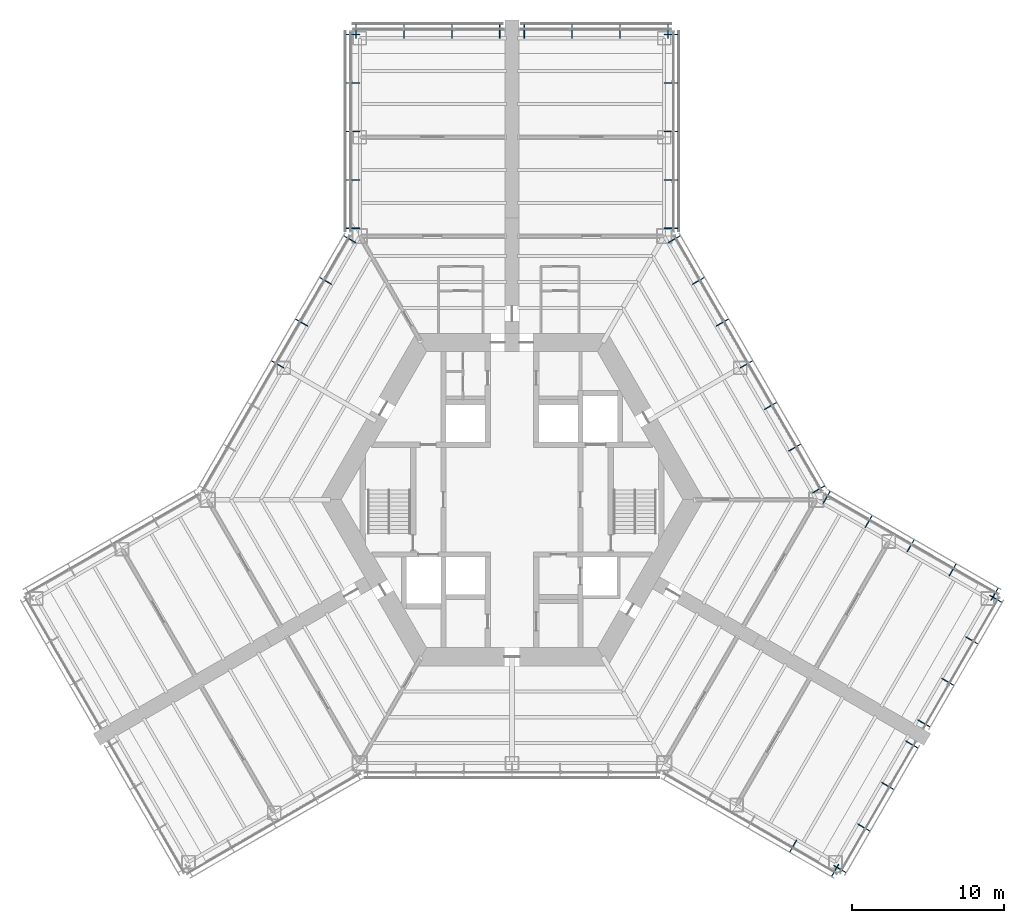
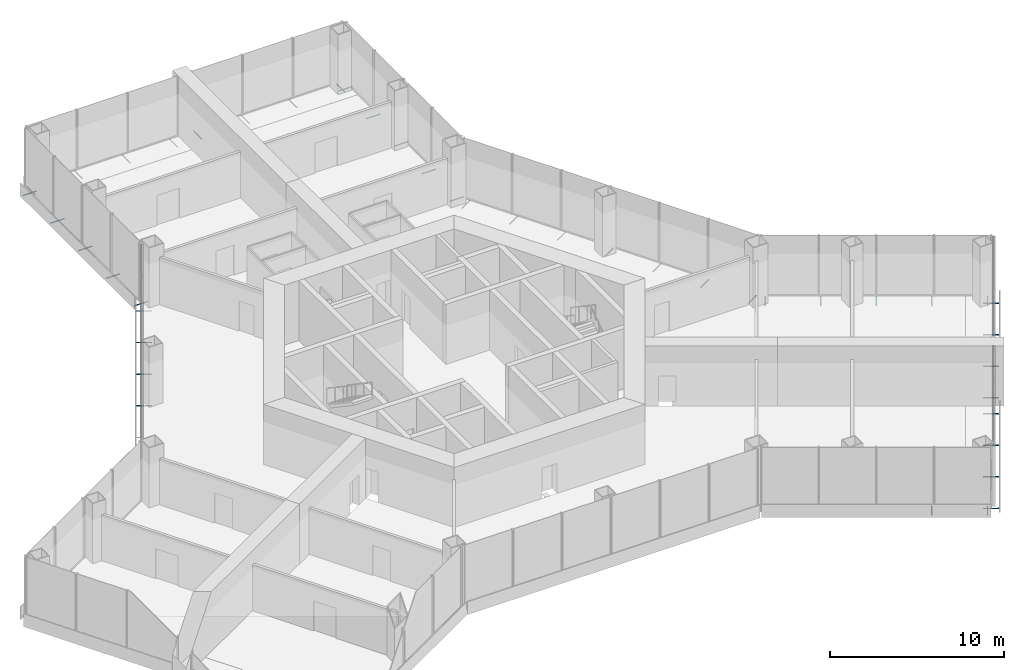
# One storey, part 14 of 15: 44 discrete accessories.
"""IFC4 building model written with IfcOpenShell, lengths in metres."""

import ifcopenshell
import ifcopenshell.guid

model = None  # the IFC model being written
_history = None  # IfcOwnerHistory: only IFC2X3 demands one
_inside = {}  # id of a spatial element -> (the spatial element, [elements in it])
_under = {}  # id of a project, library or spatial element -> (it, [spatial elements below it])
_declared = {}  # id of a project -> (the project, [libraries it declares])
_typed = {}  # id of a type object -> (the type object, [elements of that type])
_made_of = {}  # id of a material, layer set ... -> (it, [elements and type objects made of it])


def new_model(schema):
    """Start an empty IFC model of exactly this schema.

    Asked for "IFC4X3", IfcOpenShell would pick the latest addendum, in which some entities
    have other attributes; the version numbers below select the first issue.
    IFC2X3 requires an IfcOwnerHistory on every rooted entity: one is made here for all.
    """
    global model, _history
    if schema == "IFC4X3":
        model = ifcopenshell.file(schema_version=(4, 3, 0, 0))
    else:
        model = ifcopenshell.file(schema=schema)
    _inside.clear()
    _under.clear()
    _declared.clear()
    _typed.clear()
    _made_of.clear()
    _history = None
    if model.schema == "IFC2X3":
        org = make("IfcOrganization", Name="unknown")
        user = make(
            "IfcPersonAndOrganization",
            ThePerson=make("IfcPerson", FamilyName="unknown"),
            TheOrganization=org,
        )
        app = make(
            "IfcApplication",
            ApplicationDeveloper=org,
            Version="unknown",
            ApplicationFullName="unknown",
            ApplicationIdentifier="unknown",
        )
        _history = make(
            "IfcOwnerHistory",
            OwningUser=user,
            OwningApplication=app,
            ChangeAction="ADDED",
            CreationDate=0,
        )
    return model


def make(cls, **values):
    """One entity of the class cls with the attributes given. An attribute that is None is left unset."""
    return model.create_entity(
        cls, **{name: value for name, value in values.items() if value is not None}
    )


def rooted(cls, **values):
    """An entity with a GlobalId (a new one), such as an element, a storey or a relation."""
    return make(cls, GlobalId=ifcopenshell.guid.new(), OwnerHistory=_history, **values)


def si_unit(unit_type, name, prefix=None):
    """IfcSIUnit, for example si_unit("LENGTHUNIT", "METRE", prefix="MILLI")."""
    return make("IfcSIUnit", UnitType=unit_type, Prefix=prefix, Name=name)


def assignment(units):
    """IfcUnitAssignment: the units of a project."""
    return None if units is None else make("IfcUnitAssignment", Units=units)


def point(xyz):
    """IfcCartesianPoint."""
    return None if xyz is None else make("IfcCartesianPoint", Coordinates=xyz)


def direction(xyz):
    """IfcDirection."""
    return None if xyz is None else make("IfcDirection", DirectionRatios=xyz)


def frame(location, z_axis=None, x_axis=None):
    """IfcAxis2Placement3D, a coordinate frame: its origin and axes. An axis left out is left unset."""
    return make(
        "IfcAxis2Placement3D",
        Location=point(location),
        Axis=direction(z_axis),
        RefDirection=direction(x_axis),
    )


def frame_2d(location, x_axis=None):
    """IfcAxis2Placement2D, a coordinate frame in the plane: its origin and x axis."""
    return make(
        "IfcAxis2Placement2D", Location=point(location), RefDirection=direction(x_axis)
    )


def origin():
    """The frame at (0, 0, 0) with its axes left unset."""
    return frame((0.0, 0.0, 0.0))


def origin_2d():
    """The frame at (0, 0) in the plane with its x axis left unset."""
    return frame_2d((0.0, 0.0))


def place(relative_to, where):
    """IfcLocalPlacement: puts the frame where relative to a parent placement (None: the world)."""
    return make(
        "IfcLocalPlacement", PlacementRelTo=relative_to, RelativePlacement=where
    )


def context(
    kind, dimensions, precision=None, world=None, true_north=None, identifier=None
):
    """IfcGeometricRepresentationContext, for example the 3D "Model" context."""
    return make(
        "IfcGeometricRepresentationContext",
        ContextIdentifier=identifier,
        ContextType=kind,
        CoordinateSpaceDimension=dimensions,
        Precision=precision,
        WorldCoordinateSystem=world,
        TrueNorth=true_north,
    )


def subcontext(parent, identifier, kind, view, scale=None):
    """IfcGeometricRepresentationSubContext, for example "Body" below "Model"."""
    return make(
        "IfcGeometricRepresentationSubContext",
        ContextIdentifier=identifier,
        ContextType=kind,
        ParentContext=parent,
        TargetScale=scale,
        TargetView=view,
    )


def project(units=None, contexts=None):
    """IfcProject with its units and contexts."""
    return rooted(
        "IfcProject",
        Name="project",
        RepresentationContexts=contexts,
        UnitsInContext=assignment(units),
    )


def spatial(cls, under=None, at=None, **own):
    """A site, building, storey or space (cls), placed at a placement, below another one or the project."""
    s = rooted(cls, ObjectPlacement=at, **own)
    if under is not None:
        _under.setdefault(under.id(), (under, []))[1].append(s)
    return s


def profile(cls, at=None, kind="AREA", **sizes):
    """A parametric profile (cls). Its sizes go by their IFC names, for example OverallWidth=200.0."""
    return make(cls, ProfileType=kind, Position=at, **sizes)


def hollow_circle(**sizes):
    """IfcCircleHollowProfileDef."""
    return profile("IfcCircleHollowProfileDef", **sizes)


def extrude(swept, where, along, depth):
    """IfcExtrudedAreaSolid: the profile swept, set in the frame where, extruded along a direction by depth."""
    return make(
        "IfcExtrudedAreaSolid",
        SweptArea=swept,
        Position=where,
        ExtrudedDirection=direction(along),
        Depth=depth,
    )


def shape(context_of_items, identifier, shape_type, items):
    """IfcShapeRepresentation: the items that make up one representation, for example the "Body"."""
    return make(
        "IfcShapeRepresentation",
        ContextOfItems=context_of_items,
        RepresentationIdentifier=identifier,
        RepresentationType=shape_type,
        Items=items,
    )


def material(Name=None, Category=None):
    """IfcMaterial."""
    return make("IfcMaterial", Name=Name, Category=Category)


def material_profile(
    of_material, cross_section, Name=None, Category=None, Priority=None
):
    """IfcMaterialProfile: a cross section and its material."""
    return make(
        "IfcMaterialProfile",
        Name=Name,
        Material=of_material,
        Profile=cross_section,
        Priority=Priority,
        Category=Category,
    )


def profile_set(profiles, Name=None, composite=None):
    """IfcMaterialProfileSet."""
    return make(
        "IfcMaterialProfileSet",
        Name=Name,
        MaterialProfiles=profiles,
        CompositeProfile=composite,
    )


def made_of(thing, what):
    """Note that an element or type object is made of a material, layer set ...; save() writes the relation."""
    if what is not None:
        _made_of.setdefault(what.id(), (what, []))[1].append(thing)
    return thing


def type_object(cls, material=None, **own):
    """A type object (cls), such as IfcWallType, which elements share."""
    return made_of(rooted(cls, **own), material)


def element(
    cls,
    number,
    at=None,
    inside=None,
    cuts=None,
    type_object=None,
    material=None,
    context=None,
    identifier="Body",
    shape_type=None,
    held_by="IfcProductDefinitionShape",
    body=None,
    shapes=None,
    **own,
):
    """One element of the class cls, such as IfcWall. Its Tag is "e" and its number.

    at: its placement. inside: the storey or other place that contains it. cuts: it is an
    opening in that element (IfcRelVoidsElement). A single representation is given by context,
    identifier, shape_type and body (its items); several are given by shapes. held_by: the class
    of the entity that holds the representations. save() writes the other relations.
    """
    e = rooted(cls, Tag="e%d" % number, ObjectPlacement=at, **own)
    if body is not None:
        shapes = [shape(context, identifier, shape_type, body)]
    if shapes is not None:
        e.Representation = make(held_by, Representations=shapes)
    if inside is not None:
        _inside.setdefault(inside.id(), (inside, []))[1].append(e)
    if cuts is not None:
        rooted(
            "IfcRelVoidsElement", RelatingBuildingElement=cuts, RelatedOpeningElement=e
        )
    if type_object is not None:
        _typed.setdefault(type_object.id(), (type_object, []))[1].append(e)
    return made_of(e, material)


def aggregate(whole, parts):
    """IfcRelAggregates: a whole, such as a stair, and the parts it consists of."""
    return rooted("IfcRelAggregates", RelatingObject=whole, RelatedObjects=parts)


def save(model, path):
    """Write the relations noted so far, then the file.

    IfcRelAggregates (storeys below a building ...), IfcRelContainedInSpatialStructure (elements
    in a storey), IfcRelDefinesByType, IfcRelAssociatesMaterial and IfcRelDeclares: one each for
    every whole, place, type object, material and project.
    """
    for whole, parts in _under.values():
        aggregate(whole, parts)
    for where, things in _inside.values():
        rooted(
            "IfcRelContainedInSpatialStructure",
            RelatedElements=things,
            RelatingStructure=where,
        )
    for kind, things in _typed.values():
        rooted("IfcRelDefinesByType", RelatedObjects=things, RelatingType=kind)
    for what, things in _made_of.values():
        rooted("IfcRelAssociatesMaterial", RelatedObjects=things, RelatingMaterial=what)
    for by, libraries in _declared.values():
        rooted("IfcRelDeclares", RelatingContext=by, RelatedDefinitions=libraries)
    model.write(path)


model = new_model("IFC4")

# Units and contexts
model_context = context("Model", 3, precision=1e-05, world=origin(), true_north=direction((0.0, 1.0)))
body_context = subcontext(model_context, "Body", "Model", "MODEL_VIEW")
ifc_project = project(units=[si_unit("LENGTHUNIT", "METRE"), si_unit("AREAUNIT", "SQUARE_METRE"), si_unit("VOLUMEUNIT", "CUBIC_METRE"), si_unit("PLANEANGLEUNIT", "RADIAN"), si_unit("MASSUNIT", "GRAM", prefix="KILO")], contexts=[model_context])

# Site, building, storey
site_placement = place(None, origin())
site = spatial("IfcSite", under=ifc_project, at=site_placement, CompositionType="ELEMENT")
building_placement = place(site_placement, origin())
building = spatial("IfcBuilding", under=site, at=building_placement, Name="Kasaneha Research Tower", CompositionType="ELEMENT")
storey_placement = place(building_placement, frame((0.0, 0.0, 35.199951171875)))
storey = spatial("IfcBuildingStorey", under=building, at=storey_placement, Name="L09", CompositionType="ELEMENT", Elevation=35.199951171875)

# Discrete accessories
ifc_material = material(Name="Steel STK400", Category="steel")
ifc_material_profile = material_profile(ifc_material, hollow_circle(Radius=0.0380859375, WallThickness=0.00390625, at=origin_2d()), Name="CHS-76.3x4.0")
ifc_profile_set = profile_set([ifc_material_profile], Name="Steel STK400")
discrete_accessory_type = type_object("IfcDiscreteAccessoryType", Name="Screen bracket CHS-76.3x4.0", PredefinedType="BRACKET", material=ifc_profile_set)
discrete_accessory_1_placement = place(storey_placement, frame((18.716796875, -22.35302734375, -0.320068359375), z_axis=(-0.500105201737, -0.865964657013, 0.0), x_axis=(0.865964657013, -0.500105201737, 0.0)))
element("IfcDiscreteAccessory", 1, at=discrete_accessory_1_placement, inside=storey, type_object=discrete_accessory_type, Name="Screen bracket 4", PredefinedType="BRACKET", context=body_context, shape_type="SweptSolid", body=[
    extrude(hollow_circle(Radius=0.0380859375, WallThickness=0.00390625, at=origin_2d()), origin(), (0.0, 0.0, 1.0), 0.920166015625),
])
discrete_accessory_2_placement = place(storey_placement, frame((21.474853515625, -23.945556640625, -0.320068359375), z_axis=(-0.500021113727, -0.866013213425, 0.0), x_axis=(0.866013213425, -0.500021113727, 0.0)))
element("IfcDiscreteAccessory", 2, at=discrete_accessory_2_placement, inside=storey, type_object=discrete_accessory_type, Name="Screen bracket 5", PredefinedType="BRACKET", context=body_context, shape_type="SweptSolid", body=[
    extrude(hollow_circle(Radius=0.0380859375, WallThickness=0.00390625, at=origin_2d()), origin(), (0.0, 0.0, 1.0), 0.919921875),
])
for number, where, z_axis, x_axis, name in (
    (3, (21.13330078125, -24.037109375, -0.320068359375), (0.866079547155, -0.499906209203, 0.0), (0.499906209203, 0.866079547155, 0.0), "Screen bracket 1"),
    (4, (22.708251953125, -21.30908203125, -0.320068359375), (0.866079547155, -0.499906209203, 0.0), (0.499906209203, 0.866079547155, 0.0), "Screen bracket 2"),
):
    element("IfcDiscreteAccessory", number, at=place(storey_placement, frame(where, z_axis=z_axis, x_axis=x_axis)), inside=storey, type_object=discrete_accessory_type, Name=name, PredefinedType="BRACKET", context=body_context, shape_type="SweptSolid", body=[
        extrude(hollow_circle(Radius=0.0380859375, WallThickness=0.00390625, at=origin_2d()), origin(), (0.0, 0.0, 1.0), 0.920166015625),
    ])
for number, where, z_axis, x_axis, name in (
    (5, (24.283447265625, -18.5810546875, -0.320068359375), (0.866013213425, -0.500021113727, 0.0), (0.500021113727, 0.866013213425, 0.0), "Screen bracket 3"),
    (6, (25.8583984375, -15.85302734375, -0.320068359375), (0.866013213425, -0.500021113727, 0.0), (0.500021113727, 0.866013213425, 0.0), "Screen bracket 4"),
    (7, (26.658447265625, -14.467529296875, -0.320068359375), (0.866013213425, -0.500021113727, 0.0), (0.500021113727, 0.866013213425, 0.0), "Screen bracket 1"),
    (8, (28.2333984375, -11.739501953125, -0.320068359375), (0.866013213425, -0.500021113727, 0.0), (0.500021113727, 0.866013213425, 0.0), "Screen bracket 2"),
    (9, (29.808349609375, -9.011474609375, -0.320068359375), (0.866013213425, -0.500021113727, 0.0), (0.500021113727, 0.866013213425, 0.0), "Screen bracket 3"),
):
    element("IfcDiscreteAccessory", number, at=place(storey_placement, frame(where, z_axis=z_axis, x_axis=x_axis)), inside=storey, type_object=discrete_accessory_type, Name=name, PredefinedType="BRACKET", context=body_context, shape_type="SweptSolid", body=[
        extrude(hollow_circle(Radius=0.0380859375, WallThickness=0.00390625, at=origin_2d()), origin(), (0.0, 0.0, 1.0), 0.919921875),
    ])
discrete_accessory_3_placement = place(storey_placement, frame((31.38330078125, -6.283447265625, -0.320068359375), z_axis=(0.866079547155, -0.499906209203, 0.0), x_axis=(0.499906209203, 0.866079547155, 0.0)))
element("IfcDiscreteAccessory", 10, at=discrete_accessory_3_placement, inside=storey, type_object=discrete_accessory_type, Name="Screen bracket 4", PredefinedType="BRACKET", context=body_context, shape_type="SweptSolid", body=[
    extrude(hollow_circle(Radius=0.0380859375, WallThickness=0.00390625, at=origin_2d()), origin(), (0.0, 0.0, 1.0), 0.920166015625),
])
discrete_accessory_4_placement = place(storey_placement, frame((31.474853515625, -6.625, -0.320068359375), z_axis=(0.500021113727, 0.866013213425, 0.0), x_axis=(-0.866013213425, 0.500021113727, 0.0)))
element("IfcDiscreteAccessory", 11, at=discrete_accessory_4_placement, inside=storey, type_object=discrete_accessory_type, Name="Screen bracket 1", PredefinedType="BRACKET", context=body_context, shape_type="SweptSolid", body=[
    extrude(hollow_circle(Radius=0.0380859375, WallThickness=0.00390625, at=origin_2d()), origin(), (0.0, 0.0, 1.0), 0.919921875),
])
discrete_accessory_5_placement = place(storey_placement, frame((28.716796875, -5.03271484375, -0.320068359375), z_axis=(0.499906209203, 0.866079547155, 0.0), x_axis=(-0.866079547155, 0.499906209203, 0.0)))
element("IfcDiscreteAccessory", 12, at=discrete_accessory_5_placement, inside=storey, type_object=discrete_accessory_type, Name="Screen bracket 2", PredefinedType="BRACKET", context=body_context, shape_type="SweptSolid", body=[
    extrude(hollow_circle(Radius=0.0380859375, WallThickness=0.00390625, at=origin_2d()), origin(), (0.0, 0.0, 1.0), 0.920166015625),
])
discrete_accessory_6_placement = place(storey_placement, frame((25.95849609375, -3.440185546875, -0.320068359375), z_axis=(0.500220121494, 0.865898279276, 0.0), x_axis=(-0.865898279276, 0.500220121494, 0.0)))
element("IfcDiscreteAccessory", 13, at=discrete_accessory_6_placement, inside=storey, type_object=discrete_accessory_type, Name="Screen bracket 3", PredefinedType="BRACKET", context=body_context, shape_type="SweptSolid", body=[
    extrude(hollow_circle(Radius=0.0380859375, WallThickness=0.00390625, at=origin_2d()), origin(), (0.0, 0.0, 1.0), 0.919921875),
])
discrete_accessory_7_placement = place(storey_placement, frame((23.200439453125, -1.847900390625, -0.320068359375), z_axis=(0.499906209203, 0.866079547155, 0.0), x_axis=(-0.866079547155, 0.499906209203, 0.0)))
element("IfcDiscreteAccessory", 14, at=discrete_accessory_7_placement, inside=storey, type_object=discrete_accessory_type, Name="Screen bracket 4", PredefinedType="BRACKET", context=body_context, shape_type="SweptSolid", body=[
    extrude(hollow_circle(Radius=0.0380859375, WallThickness=0.00390625, at=origin_2d()), origin(), (0.0, 0.0, 1.0), 0.920166015625),
])
for number, where, z_axis, x_axis, name in (
    (15, (20.4423828125, -0.25537109375, -0.320068359375), (0.500021113727, 0.866013213425, 0.0), (-0.866013213425, 0.500021113727, 0.0), "Screen bracket 5"),
    (16, (19.74462890625, 0.4423828125, -0.320068359375), (0.866013213425, 0.500021113727, 0.0), (-0.500021113727, 0.866013213425, 0.0), "Screen bracket 1"),
    (17, (18.1630859375, 3.181640625, -0.320068359375), (0.866013213425, 0.500021113727, 0.0), (-0.500021113727, 0.866013213425, 0.0), "Screen bracket 2"),
    (18, (16.58154296875, 5.9208984375, -0.320068359375), (0.866013213425, 0.500021113727, 0.0), (-0.500021113727, 0.866013213425, 0.0), "Screen bracket 3"),
    (19, (15.0, 8.66015625, -0.320068359375), (0.865898279276, 0.500220121494, 0.0), (-0.500220121494, 0.865898279276, 0.0), "Screen bracket 4"),
    (20, (13.41845703125, 11.399658203125, -0.320068359375), (0.866013213425, 0.500021113727, 0.0), (-0.500021113727, 0.866013213425, 0.0), "Screen bracket 5"),
    (21, (11.8369140625, 14.138916015625, -0.320068359375), (0.866013213425, 0.500021113727, 0.0), (-0.500021113727, 0.866013213425, 0.0), "Screen bracket 6"),
):
    element("IfcDiscreteAccessory", number, at=place(storey_placement, frame(where, z_axis=z_axis, x_axis=x_axis)), inside=storey, type_object=discrete_accessory_type, Name=name, PredefinedType="BRACKET", context=body_context, shape_type="SweptSolid", body=[
        extrude(hollow_circle(Radius=0.0380859375, WallThickness=0.00390625, at=origin_2d()), origin(), (0.0, 0.0, 1.0), 0.919921875),
    ])
discrete_accessory_8_placement = place(storey_placement, frame((10.25537109375, 16.878173828125, -0.320068359375), z_axis=(0.866079547155, 0.499906209203, 0.0), x_axis=(-0.499906209203, 0.866079547155, 0.0)))
element("IfcDiscreteAccessory", 22, at=discrete_accessory_8_placement, inside=storey, type_object=discrete_accessory_type, Name="Screen bracket 7", PredefinedType="BRACKET", context=body_context, shape_type="SweptSolid", body=[
    extrude(hollow_circle(Radius=0.0380859375, WallThickness=0.00390625, at=origin_2d()), origin(), (0.0, 0.0, 1.0), 0.920166015625),
])
for number, where, z_axis, x_axis, name in (
    (23, (10.0, 17.831298828125, -0.320068359375), (1.0, 0.0, 0.0), (0.0, 1.0, 0.0), "Screen bracket 1"),
    (24, (10.0, 21.01611328125, -0.320068359375), (1.0, 0.0, 0.0), (0.0, 1.0, 0.0), "Screen bracket 2"),
    (25, (10.0, 24.200927734375, -0.320068359375), (1.0, 0.0, 0.0), (0.0, 1.0, 0.0), "Screen bracket 3"),
    (26, (10.0, 27.3857421875, -0.320068359375), (1.0, 0.0, 0.0), (0.0, 1.0, 0.0), "Screen bracket 4"),
    (27, (10.0, 30.570556640625, -0.320068359375), (1.0, 0.0, 0.0), (0.0, 1.0, 0.0), "Screen bracket 5"),
    (28, (10.25, 30.320556640625, -0.320068359375), (0.0, 1.0, 0.0), (-1.0, 0.0, 0.0), "Screen bracket 1"),
    (29, (7.10009765625, 30.320556640625, -0.320068359375), (0.0, 1.0, 0.0), (-1.0, 0.0, 0.0), "Screen bracket 2"),
    (30, (3.949951171875, 30.320556640625, -0.320068359375), (0.0, 1.0, 0.0), (-1.0, 0.0, 0.0), "Screen bracket 3"),
    (31, (0.800048828125, 30.320556640625, -0.320068359375), (0.0, 1.0, 0.0), (-1.0, 0.0, 0.0), "Screen bracket 4"),
    (32, (-0.800048828125, 30.320556640625, -0.320068359375), (0.0, 1.0, 0.0), (-1.0, 0.0, 0.0), "Screen bracket 1"),
    (33, (-3.949951171875, 30.320556640625, -0.320068359375), (0.0, 1.0, 0.0), (-1.0, 0.0, 0.0), "Screen bracket 2"),
    (34, (-7.10009765625, 30.320556640625, -0.320068359375), (0.0, 1.0, 0.0), (-1.0, 0.0, 0.0), "Screen bracket 3"),
    (35, (-10.25, 30.320556640625, -0.320068359375), (0.0, 1.0, 0.0), (-1.0, 0.0, 0.0), "Screen bracket 4"),
    (36, (-10.0, 30.570556640625, -0.320068359375), (-1.0, 0.0, 0.0), (0.0, -1.0, 0.0), "Screen bracket 1"),
    (37, (-10.0, 27.3857421875, -0.320068359375), (-1.0, 0.0, 0.0), (0.0, -1.0, 0.0), "Screen bracket 2"),
    (38, (-10.0, 24.200927734375, -0.320068359375), (-1.0, 0.0, 0.0), (0.0, -1.0, 0.0), "Screen bracket 3"),
    (39, (-10.0, 21.01611328125, -0.320068359375), (-1.0, 0.0, 0.0), (0.0, -1.0, 0.0), "Screen bracket 4"),
    (40, (-10.0, 17.831298828125, -0.320068359375), (-1.0, 0.0, 0.0), (0.0, -1.0, 0.0), "Screen bracket 5"),
):
    element("IfcDiscreteAccessory", number, at=place(storey_placement, frame(where, z_axis=z_axis, x_axis=x_axis)), inside=storey, type_object=discrete_accessory_type, Name=name, PredefinedType="BRACKET", context=body_context, shape_type="SweptSolid", body=[
        extrude(hollow_circle(Radius=0.0380859375, WallThickness=0.00390625, at=origin_2d()), origin(), (0.0, 0.0, 1.0), 0.919921875),
    ])
discrete_accessory_9_placement = place(storey_placement, frame((-10.25537109375, 16.878173828125, -0.320068359375), z_axis=(-0.866079547155, 0.499906209203, 0.0), x_axis=(-0.499906209203, -0.866079547155, 0.0)))
element("IfcDiscreteAccessory", 41, at=discrete_accessory_9_placement, inside=storey, type_object=discrete_accessory_type, Name="Screen bracket 1", PredefinedType="BRACKET", context=body_context, shape_type="SweptSolid", body=[
    extrude(hollow_circle(Radius=0.0380859375, WallThickness=0.00390625, at=origin_2d()), origin(), (0.0, 0.0, 1.0), 0.920166015625),
])
for number, where, z_axis, x_axis, name in (
    (42, (-11.8369140625, 14.138916015625, -0.320068359375), (-0.866013213425, 0.500021113727, 0.0), (-0.500021113727, -0.866013213425, 0.0), "Screen bracket 2"),
    (43, (-13.41845703125, 11.399658203125, -0.320068359375), (-0.866013213425, 0.500021113727, 0.0), (-0.500021113727, -0.866013213425, 0.0), "Screen bracket 3"),
    (44, (-15.0, 8.66015625, -0.320068359375), (-0.865898279276, 0.500220121494, 0.0), (-0.500220121494, -0.865898279276, 0.0), "Screen bracket 4"),
):
    element("IfcDiscreteAccessory", number, at=place(storey_placement, frame(where, z_axis=z_axis, x_axis=x_axis)), inside=storey, type_object=discrete_accessory_type, Name=name, PredefinedType="BRACKET", context=body_context, shape_type="SweptSolid", body=[
        extrude(hollow_circle(Radius=0.0380859375, WallThickness=0.00390625, at=origin_2d()), origin(), (0.0, 0.0, 1.0), 0.919921875),
    ])

save(model, "model.ifc")
